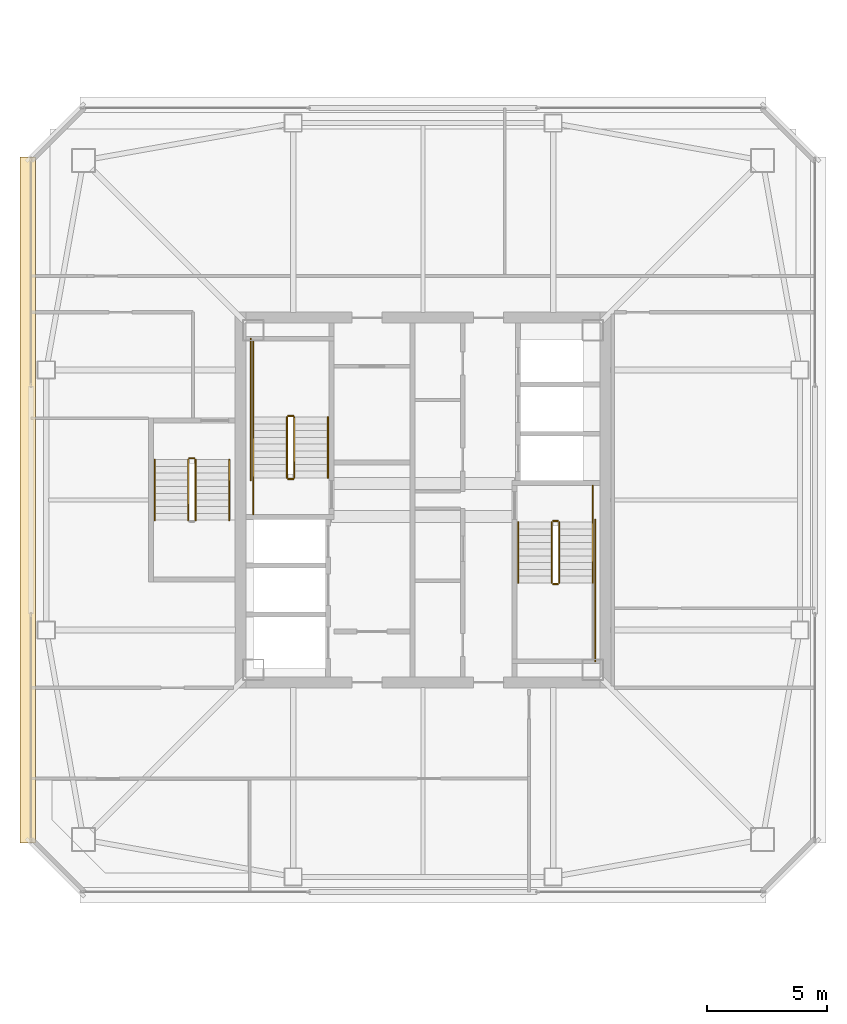
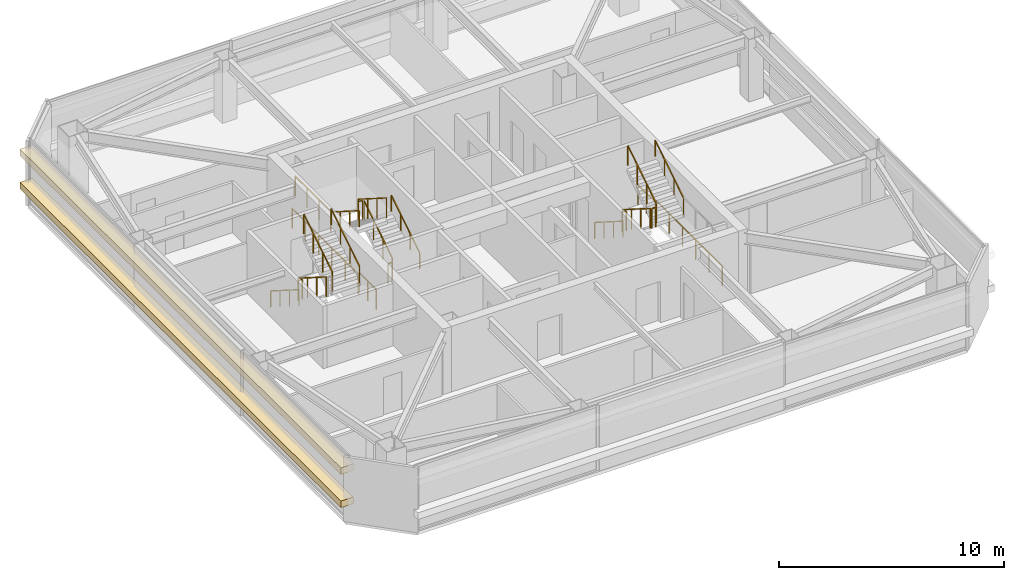
# One storey, part 35 of 39: 22 railings, 2 coverings.
"""IFC4 building model written with IfcOpenShell, lengths in metres."""

from ifc_helpers import new_model, si_unit, direction, frame, origin, origin_2d, place, context, subcontext, project, spatial, rectangle, extrude, material, layer, layer_set, type_object, element, save


model = new_model("IFC4")

# Units and contexts
model_context = context("Model", 3, precision=1e-05, world=origin(), true_north=direction((0.0, 1.0)))
body_context = subcontext(model_context, "Body", "Model", "MODEL_VIEW")
ifc_project = project(units=[si_unit("LENGTHUNIT", "METRE"), si_unit("AREAUNIT", "SQUARE_METRE"), si_unit("VOLUMEUNIT", "CUBIC_METRE"), si_unit("PLANEANGLEUNIT", "RADIAN"), si_unit("MASSUNIT", "GRAM", prefix="KILO")], contexts=[model_context])

# Site, building, storey
site_placement = place(None, origin())
site = spatial("IfcSite", under=ifc_project, at=site_placement, CompositionType="ELEMENT")
building_placement = place(site_placement, origin())
building = spatial("IfcBuilding", under=site, at=building_placement, Name="Tashvorn Skyway Center", CompositionType="ELEMENT")
storey_placement = place(building_placement, frame((0.0, 0.0, 207.75)))
storey = spatial("IfcBuildingStorey", under=building, at=storey_placement, Name="L56", CompositionType="ELEMENT", Elevation=207.75)

# Coverings
ifc_material_1 = material(Name="Perforated ceramic-coated bronze aluminium solar screen", Category="aluminium")
ifc_layer = layer(ifc_material_1, 0.85009765625)
ifc_layer_set = layer_set([ifc_layer], Name="Perforated ceramic-coated bronze aluminium solar screen")
covering_type = type_object("IfcCoveringType", Name="COV-SOLAR-BAND", PredefinedType="CLADDING", material=ifc_layer_set)
for number, where, z_axis, x_axis, name in (
    (1, (25.580078125, 32.0, 0.919921875), (0.0, 0.0, 1.0), (0.0, 1.0, 0.0), "L56 Perforated Ceramic-Metal Solar Screen Louvre Band West 1"),
    (2, (25.580078125, 32.0, 2.7197265625), (0.0, 0.0, 1.0), (0.0, 1.0, 0.0), "L56 Perforated Ceramic-Metal Solar Screen Louvre Band West 2"),
):
    element("IfcCovering", number, at=place(storey_placement, frame(where, z_axis=z_axis, x_axis=x_axis)), inside=storey, type_object=covering_type, Name=name, PredefinedType="CLADDING", context=body_context, shape_type="SweptSolid", body=[
        extrude(rectangle(XDim=28.47998046875, YDim=0.639892578125, at=origin_2d()), origin(), (0.0, 0.0, 1.0), 0.360107421875),
    ])

# Railings
ifc_material_2 = material(Name="Brushed stainless steel 316", Category="steel")
railing_type_1 = type_object("IfcRailingType", Name="RAIL-HAND-920", PredefinedType="HANDRAIL", material=ifc_material_2)
railing_1_placement = place(storey_placement, frame((38.050048828125, 32.919921875, 0.177490234375)))
element("IfcRailing", 3, at=railing_1_placement, inside=storey, type_object=railing_type_1, Name="L56 ST-T1-1 stair handrail 1", PredefinedType="HANDRAIL", context=body_context, shape_type="SweptSolid", body=[
    extrude(rectangle(XDim=0.048095703125, YDim=0.048095703125, at=origin_2d()), frame((0.0, 0.0, 0.8759765625), z_axis=(0.0, 0.84460694969, 0.535386869969), x_axis=(-1.0, 0.0, 0.0)), (0.0, 0.0, 1.0), 2.983642578125),
    extrude(rectangle(XDim=0.0419921875, YDim=0.0419921875, at=origin_2d()), origin(), (0.0, 0.0, 1.0), 0.851806640625),
    extrude(rectangle(XDim=0.0419921875, YDim=0.0419921875, at=origin_2d()), frame((0.0, 0.840087890625, 0.532470703125)), (0.0, 0.0, 1.0), 0.851806640625),
    extrude(rectangle(XDim=0.0419921875, YDim=0.0419921875, at=origin_2d()), frame((0.0, 1.679931640625, 1.06494140625)), (0.0, 0.0, 1.0), 0.851806640625),
    extrude(rectangle(XDim=0.0419921875, YDim=0.0419921875, at=origin_2d()), frame((0.0, 2.52001953125, 1.597412109375)), (0.0, 0.0, 1.0), 0.851806640625),
])
railing_2_placement = place(storey_placement, frame((34.949951171875, 35.43994140625, 1.952392578125)))
element("IfcRailing", 4, at=railing_2_placement, inside=storey, type_object=railing_type_1, Name="L56 ST-T1-1 stair handrail 2", PredefinedType="HANDRAIL", context=body_context, shape_type="SweptSolid", body=[
    extrude(rectangle(XDim=0.048095703125, YDim=0.048095703125, at=origin_2d()), frame((0.0, 0.0, 0.8759765625), z_axis=(0.0, -0.84456994832, 0.535445237532), x_axis=(1.0, 0.0, 0.0)), (0.0, 0.0, 1.0), 2.98388671875),
    extrude(rectangle(XDim=0.0419921875, YDim=0.0419921875, at=origin_2d()), origin(), (0.0, 0.0, 1.0), 0.851806640625),
    extrude(rectangle(XDim=0.0419921875, YDim=0.0419921875, at=origin_2d()), frame((0.0, -0.840087890625, 0.532470703125)), (0.0, 0.0, 1.0), 0.851806640625),
    extrude(rectangle(XDim=0.0419921875, YDim=0.0419921875, at=origin_2d()), frame((0.0, -1.679931640625, 1.065185546875)), (0.0, 0.0, 1.0), 0.851806640625),
    extrude(rectangle(XDim=0.0419921875, YDim=0.0419921875, at=origin_2d()), frame((0.0, -2.52001953125, 1.59765625)), (0.0, 0.0, 1.0), 0.851806640625),
])
railing_3_placement = place(storey_placement, frame((45.949951171875, 31.080078125, 0.177490234375)))
element("IfcRailing", 5, at=railing_3_placement, inside=storey, type_object=railing_type_1, Name="L56 ST-T1-2 stair handrail 1", PredefinedType="HANDRAIL", context=body_context, shape_type="SweptSolid", body=[
    extrude(rectangle(XDim=0.048095703125, YDim=0.048095703125, at=origin_2d()), frame((0.0, 0.0, 0.8759765625), z_axis=(0.0, -0.84460694969, 0.535386869969), x_axis=(1.0, 0.0, 0.0)), (0.0, 0.0, 1.0), 2.983642578125),
    extrude(rectangle(XDim=0.0419921875, YDim=0.0419921875, at=origin_2d()), origin(), (0.0, 0.0, 1.0), 0.851806640625),
    extrude(rectangle(XDim=0.0419921875, YDim=0.0419921875, at=origin_2d()), frame((0.0, -0.840087890625, 0.532470703125)), (0.0, 0.0, 1.0), 0.851806640625),
    extrude(rectangle(XDim=0.0419921875, YDim=0.0419921875, at=origin_2d()), frame((0.0, -1.679931640625, 1.06494140625)), (0.0, 0.0, 1.0), 0.851806640625),
    extrude(rectangle(XDim=0.0419921875, YDim=0.0419921875, at=origin_2d()), frame((0.0, -2.52001953125, 1.597412109375)), (0.0, 0.0, 1.0), 0.851806640625),
])
railing_4_placement = place(storey_placement, frame((49.050048828125, 28.56005859375, 1.952392578125)))
element("IfcRailing", 6, at=railing_4_placement, inside=storey, type_object=railing_type_1, Name="L56 ST-T1-2 stair handrail 2", PredefinedType="HANDRAIL", context=body_context, shape_type="SweptSolid", body=[
    extrude(rectangle(XDim=0.048095703125, YDim=0.048095703125, at=origin_2d()), frame((0.0, 0.0, 0.8759765625), z_axis=(0.0, 0.84456994832, 0.535445237532), x_axis=(-1.0, 0.0, 0.0)), (0.0, 0.0, 1.0), 2.98388671875),
    extrude(rectangle(XDim=0.0419921875, YDim=0.0419921875, at=origin_2d()), origin(), (0.0, 0.0, 1.0), 0.851806640625),
    extrude(rectangle(XDim=0.0419921875, YDim=0.0419921875, at=origin_2d()), frame((0.0, 0.840087890625, 0.532470703125)), (0.0, 0.0, 1.0), 0.851806640625),
    extrude(rectangle(XDim=0.0419921875, YDim=0.0419921875, at=origin_2d()), frame((0.0, 1.679931640625, 1.065185546875)), (0.0, 0.0, 1.0), 0.851806640625),
    extrude(rectangle(XDim=0.0419921875, YDim=0.0419921875, at=origin_2d()), frame((0.0, 2.52001953125, 1.59765625)), (0.0, 0.0, 1.0), 0.851806640625),
])
railing_5_placement = place(storey_placement, frame((30.85009765625, 33.679931640625, 0.177490234375)))
element("IfcRailing", 7, at=railing_5_placement, inside=storey, type_object=railing_type_1, Name="L56 ST-T1-3 stair handrail 1", PredefinedType="HANDRAIL", context=body_context, shape_type="SweptSolid", body=[
    extrude(rectangle(XDim=0.048095703125, YDim=0.048095703125, at=origin_2d()), frame((0.0, 0.0, 0.8759765625), z_axis=(0.0, -0.84460694969, 0.535386869969), x_axis=(1.0, 0.0, 0.0)), (0.0, 0.0, 1.0), 2.983642578125),
    extrude(rectangle(XDim=0.0419921875, YDim=0.0419921875, at=origin_2d()), origin(), (0.0, 0.0, 1.0), 0.851806640625),
    extrude(rectangle(XDim=0.0419921875, YDim=0.0419921875, at=origin_2d()), frame((0.0, -0.840087890625, 0.532470703125)), (0.0, 0.0, 1.0), 0.851806640625),
    extrude(rectangle(XDim=0.0419921875, YDim=0.0419921875, at=origin_2d()), frame((0.0, -1.679931640625, 1.06494140625)), (0.0, 0.0, 1.0), 0.851806640625),
    extrude(rectangle(XDim=0.0419921875, YDim=0.0419921875, at=origin_2d()), frame((0.0, -2.52001953125, 1.597412109375)), (0.0, 0.0, 1.0), 0.851806640625),
])
railing_6_placement = place(storey_placement, frame((33.949951171875, 31.159912109375, 1.952392578125)))
element("IfcRailing", 8, at=railing_6_placement, inside=storey, type_object=railing_type_1, Name="L56 ST-T1-3 stair handrail 2", PredefinedType="HANDRAIL", context=body_context, shape_type="SweptSolid", body=[
    extrude(rectangle(XDim=0.048095703125, YDim=0.048095703125, at=origin_2d()), frame((0.0, 0.0, 0.8759765625), z_axis=(0.0, 0.84456994832, 0.535445237532), x_axis=(-1.0, 0.0, 0.0)), (0.0, 0.0, 1.0), 2.98388671875),
    extrude(rectangle(XDim=0.0419921875, YDim=0.0419921875, at=origin_2d()), origin(), (0.0, 0.0, 1.0), 0.851806640625),
    extrude(rectangle(XDim=0.0419921875, YDim=0.0419921875, at=origin_2d()), frame((0.0, 0.840087890625, 0.532470703125)), (0.0, 0.0, 1.0), 0.851806640625),
    extrude(rectangle(XDim=0.0419921875, YDim=0.0419921875, at=origin_2d()), frame((0.0, 1.679931640625, 1.065185546875)), (0.0, 0.0, 1.0), 0.851806640625),
    extrude(rectangle(XDim=0.0419921875, YDim=0.0419921875, at=origin_2d()), frame((0.0, 2.52001953125, 1.59765625)), (0.0, 0.0, 1.0), 0.851806640625),
])
ifc_material_3 = material(Name="Painted galvanized steel S355", Category="steel")
railing_type_2 = type_object("IfcRailingType", Name="RAIL-STGUARD-1100", PredefinedType="GUARDRAIL", material=ifc_material_3)
railing_7_placement = place(storey_placement, frame((36.64990234375, 32.919921875, 0.177490234375)))
element("IfcRailing", 9, at=railing_7_placement, inside=storey, type_object=railing_type_2, Name="L56 ST-T1-1 stair guard 1", PredefinedType="GUARDRAIL", context=body_context, shape_type="SweptSolid", body=[
    extrude(rectangle(XDim=0.048095703125, YDim=0.048095703125, at=origin_2d()), frame((0.0, 0.0, 1.076171875), z_axis=(0.0, 0.84460694969, 0.535386869969), x_axis=(-1.0, 0.0, 0.0)), (0.0, 0.0, 1.0), 2.983642578125),
    extrude(rectangle(XDim=0.0419921875, YDim=0.0419921875, at=origin_2d()), origin(), (0.0, 0.0, 1.0), 1.052001953125),
    extrude(rectangle(XDim=0.0419921875, YDim=0.0419921875, at=origin_2d()), frame((0.0, 0.840087890625, 0.532470703125)), (0.0, 0.0, 1.0), 1.052001953125),
    extrude(rectangle(XDim=0.0419921875, YDim=0.0419921875, at=origin_2d()), frame((0.0, 1.679931640625, 1.06494140625)), (0.0, 0.0, 1.0), 1.052001953125),
    extrude(rectangle(XDim=0.0419921875, YDim=0.0419921875, at=origin_2d()), frame((0.0, 2.52001953125, 1.597412109375)), (0.0, 0.0, 1.0), 1.052001953125),
])
railing_8_placement = place(storey_placement, frame((36.60009765625, 35.489990234375, 1.77490234375)))
element("IfcRailing", 10, at=railing_8_placement, inside=storey, type_object=railing_type_2, Name="L56 ST-T1-1 stair guard 2", PredefinedType="GUARDRAIL", context=body_context, shape_type="SweptSolid", body=[
    extrude(rectangle(XDim=0.048095703125, YDim=0.048095703125, at=origin_2d()), frame((0.0, 0.0, 1.076171875), z_axis=(-1.0, 0.0, 0.0), x_axis=(0.0, -1.0, 0.0)), (0.0, 0.0, 1.0), 0.2001953125),
    extrude(rectangle(XDim=0.0419921875, YDim=0.0419921875, at=origin_2d()), origin(), (0.0, 0.0, 1.0), 1.052001953125),
    extrude(rectangle(XDim=0.0419921875, YDim=0.0419921875, at=origin_2d()), frame((-0.2001953125, 0.0, 0.0)), (0.0, 0.0, 1.0), 1.052001953125),
])
railing_9_placement = place(storey_placement, frame((34.949951171875, 35.43994140625, 1.77490234375)))
element("IfcRailing", 11, at=railing_9_placement, inside=storey, type_object=railing_type_2, Name="L56 ST-T1-1 stair guard 3", PredefinedType="GUARDRAIL", context=body_context, shape_type="SweptSolid", body=[
    extrude(rectangle(XDim=0.048095703125, YDim=0.048095703125, at=origin_2d()), frame((0.0, 0.0, 1.076171875), z_axis=(0.0, 1.0, 0.0), x_axis=(-1.0, 0.0, 0.0)), (0.0, 0.0, 1.0), 3.16015625),
    extrude(rectangle(XDim=0.0419921875, YDim=0.0419921875, at=origin_2d()), origin(), (0.0, 0.0, 1.0), 1.052001953125),
    extrude(rectangle(XDim=0.0419921875, YDim=0.0419921875, at=origin_2d()), frame((0.0, 1.053466796875, 0.0)), (0.0, 0.0, 1.0), 1.052001953125),
    extrude(rectangle(XDim=0.0419921875, YDim=0.0419921875, at=origin_2d()), frame((0.0, 2.106689453125, 0.0)), (0.0, 0.0, 1.0), 1.052001953125),
    extrude(rectangle(XDim=0.0419921875, YDim=0.0419921875, at=origin_2d()), frame((0.0, 3.16015625, 0.0)), (0.0, 0.0, 1.0), 1.052001953125),
])
railing_10_placement = place(storey_placement, frame((36.35009765625, 35.43994140625, 1.952392578125)))
element("IfcRailing", 12, at=railing_10_placement, inside=storey, type_object=railing_type_2, Name="L56 ST-T1-1 stair guard 4", PredefinedType="GUARDRAIL", context=body_context, shape_type="SweptSolid", body=[
    extrude(rectangle(XDim=0.048095703125, YDim=0.048095703125, at=origin_2d()), frame((0.0, 0.0, 1.076171875), z_axis=(0.0, -0.84456994832, 0.535445237532), x_axis=(1.0, 0.0, 0.0)), (0.0, 0.0, 1.0), 2.98388671875),
    extrude(rectangle(XDim=0.0419921875, YDim=0.0419921875, at=origin_2d()), origin(), (0.0, 0.0, 1.0), 1.052001953125),
    extrude(rectangle(XDim=0.0419921875, YDim=0.0419921875, at=origin_2d()), frame((0.0, -0.840087890625, 0.532470703125)), (0.0, 0.0, 1.0), 1.052001953125),
    extrude(rectangle(XDim=0.0419921875, YDim=0.0419921875, at=origin_2d()), frame((0.0, -1.679931640625, 1.065185546875)), (0.0, 0.0, 1.0), 1.052001953125),
    extrude(rectangle(XDim=0.0419921875, YDim=0.0419921875, at=origin_2d()), frame((0.0, -2.52001953125, 1.59765625)), (0.0, 0.0, 1.0), 1.052001953125),
])
railing_11_placement = place(storey_placement, frame((36.60009765625, 32.8701171875, 0.0)))
element("IfcRailing", 13, at=railing_11_placement, inside=storey, type_object=railing_type_2, Name="L56 ST-T1-1 stair guard 5", PredefinedType="GUARDRAIL", context=body_context, shape_type="SweptSolid", body=[
    extrude(rectangle(XDim=0.048095703125, YDim=0.048095703125, at=origin_2d()), frame((0.0, 0.0, 1.076171875), z_axis=(-1.0, 0.0, 0.0), x_axis=(0.0, -1.0, 0.0)), (0.0, 0.0, 1.0), 0.2001953125),
    extrude(rectangle(XDim=0.0419921875, YDim=0.0419921875, at=origin_2d()), origin(), (0.0, 0.0, 1.0), 1.052001953125),
    extrude(rectangle(XDim=0.0419921875, YDim=0.0419921875, at=origin_2d()), frame((-0.2001953125, 0.0, 0.0)), (0.0, 0.0, 1.0), 1.052001953125),
])
railing_12_placement = place(storey_placement, frame((34.949951171875, 31.39990234375, 0.0)))
element("IfcRailing", 14, at=railing_12_placement, inside=storey, type_object=railing_type_2, Name="L56 ST-T1-1 stair guard 6", PredefinedType="GUARDRAIL", context=body_context, shape_type="SweptSolid", body=[
    extrude(rectangle(XDim=0.048095703125, YDim=0.048095703125, at=origin_2d()), frame((0.0, 0.0, 1.076171875), z_axis=(0.0, 1.0, 0.0), x_axis=(-1.0, 0.0, 0.0)), (0.0, 0.0, 1.0), 1.52001953125),
    extrude(rectangle(XDim=0.0419921875, YDim=0.0419921875, at=origin_2d()), origin(), (0.0, 0.0, 1.0), 1.052001953125),
    extrude(rectangle(XDim=0.0419921875, YDim=0.0419921875, at=origin_2d()), frame((0.0, 0.760009765625, 0.0)), (0.0, 0.0, 1.0), 1.052001953125),
    extrude(rectangle(XDim=0.0419921875, YDim=0.0419921875, at=origin_2d()), frame((0.0, 1.52001953125, 0.0)), (0.0, 0.0, 1.0), 1.052001953125),
])
railing_13_placement = place(storey_placement, frame((34.85009765625, 32.820068359375, 0.0)))
element("IfcRailing", 15, at=railing_13_placement, inside=storey, type_object=railing_type_2, Name="L56 ST-T1-1 stair guard 7", PredefinedType="GUARDRAIL", context=body_context, shape_type="SweptSolid", body=[
    extrude(rectangle(XDim=0.048095703125, YDim=0.048095703125, at=origin_2d()), frame((0.0, 0.0, 1.076171875), z_axis=(0.0, 1.0, 0.0), x_axis=(-1.0, 0.0, 0.0)), (0.0, 0.0, 1.0), 5.8798828125),
    extrude(rectangle(XDim=0.0419921875, YDim=0.0419921875, at=origin_2d()), origin(), (0.0, 0.0, 1.0), 1.052001953125),
    extrude(rectangle(XDim=0.0419921875, YDim=0.0419921875, at=origin_2d()), frame((0.0, 1.176025390625, 0.0)), (0.0, 0.0, 1.0), 1.052001953125),
    extrude(rectangle(XDim=0.0419921875, YDim=0.0419921875, at=origin_2d()), frame((0.0, 2.35205078125, 0.0)), (0.0, 0.0, 1.0), 1.052001953125),
    extrude(rectangle(XDim=0.0419921875, YDim=0.0419921875, at=origin_2d()), frame((0.0, 3.52783203125, 0.0)), (0.0, 0.0, 1.0), 1.052001953125),
    extrude(rectangle(XDim=0.0419921875, YDim=0.0419921875, at=origin_2d()), frame((0.0, 4.703857421875, 0.0)), (0.0, 0.0, 1.0), 1.052001953125),
    extrude(rectangle(XDim=0.0419921875, YDim=0.0419921875, at=origin_2d()), frame((0.0, 5.8798828125, 0.0)), (0.0, 0.0, 1.0), 1.052001953125),
])
railing_14_placement = place(storey_placement, frame((47.35009765625, 31.080078125, 0.177490234375)))
element("IfcRailing", 16, at=railing_14_placement, inside=storey, type_object=railing_type_2, Name="L56 ST-T1-2 stair guard 1", PredefinedType="GUARDRAIL", context=body_context, shape_type="SweptSolid", body=[
    extrude(rectangle(XDim=0.048095703125, YDim=0.048095703125, at=origin_2d()), frame((0.0, 0.0, 1.076171875), z_axis=(0.0, -0.84460694969, 0.535386869969), x_axis=(1.0, 0.0, 0.0)), (0.0, 0.0, 1.0), 2.983642578125),
    extrude(rectangle(XDim=0.0419921875, YDim=0.0419921875, at=origin_2d()), origin(), (0.0, 0.0, 1.0), 1.052001953125),
    extrude(rectangle(XDim=0.0419921875, YDim=0.0419921875, at=origin_2d()), frame((0.0, -0.840087890625, 0.532470703125)), (0.0, 0.0, 1.0), 1.052001953125),
    extrude(rectangle(XDim=0.0419921875, YDim=0.0419921875, at=origin_2d()), frame((0.0, -1.679931640625, 1.06494140625)), (0.0, 0.0, 1.0), 1.052001953125),
    extrude(rectangle(XDim=0.0419921875, YDim=0.0419921875, at=origin_2d()), frame((0.0, -2.52001953125, 1.597412109375)), (0.0, 0.0, 1.0), 1.052001953125),
])
railing_15_placement = place(storey_placement, frame((47.39990234375, 28.510009765625, 1.77490234375)))
element("IfcRailing", 17, at=railing_15_placement, inside=storey, type_object=railing_type_2, Name="L56 ST-T1-2 stair guard 2", PredefinedType="GUARDRAIL", context=body_context, shape_type="SweptSolid", body=[
    extrude(rectangle(XDim=0.048095703125, YDim=0.048095703125, at=origin_2d()), frame((0.0, 0.0, 1.076171875), z_axis=(1.0, 0.0, 0.0), x_axis=(0.0, 1.0, 0.0)), (0.0, 0.0, 1.0), 0.2001953125),
    extrude(rectangle(XDim=0.0419921875, YDim=0.0419921875, at=origin_2d()), origin(), (0.0, 0.0, 1.0), 1.052001953125),
    extrude(rectangle(XDim=0.0419921875, YDim=0.0419921875, at=origin_2d()), frame((0.2001953125, 0.0, 0.0)), (0.0, 0.0, 1.0), 1.052001953125),
])
railing_16_placement = place(storey_placement, frame((47.64990234375, 28.56005859375, 1.952392578125)))
element("IfcRailing", 18, at=railing_16_placement, inside=storey, type_object=railing_type_2, Name="L56 ST-T1-2 stair guard 4", PredefinedType="GUARDRAIL", context=body_context, shape_type="SweptSolid", body=[
    extrude(rectangle(XDim=0.048095703125, YDim=0.048095703125, at=origin_2d()), frame((0.0, 0.0, 1.076171875), z_axis=(0.0, 0.84456994832, 0.535445237532), x_axis=(-1.0, 0.0, 0.0)), (0.0, 0.0, 1.0), 2.98388671875),
    extrude(rectangle(XDim=0.0419921875, YDim=0.0419921875, at=origin_2d()), origin(), (0.0, 0.0, 1.0), 1.052001953125),
    extrude(rectangle(XDim=0.0419921875, YDim=0.0419921875, at=origin_2d()), frame((0.0, 0.840087890625, 0.532470703125)), (0.0, 0.0, 1.0), 1.052001953125),
    extrude(rectangle(XDim=0.0419921875, YDim=0.0419921875, at=origin_2d()), frame((0.0, 1.679931640625, 1.065185546875)), (0.0, 0.0, 1.0), 1.052001953125),
    extrude(rectangle(XDim=0.0419921875, YDim=0.0419921875, at=origin_2d()), frame((0.0, 2.52001953125, 1.59765625)), (0.0, 0.0, 1.0), 1.052001953125),
])
railing_17_placement = place(storey_placement, frame((47.39990234375, 31.1298828125, 0.0)))
element("IfcRailing", 19, at=railing_17_placement, inside=storey, type_object=railing_type_2, Name="L56 ST-T1-2 stair guard 5", PredefinedType="GUARDRAIL", context=body_context, shape_type="SweptSolid", body=[
    extrude(rectangle(XDim=0.048095703125, YDim=0.048095703125, at=origin_2d()), frame((0.0, 0.0, 1.076171875), z_axis=(1.0, 0.0, 0.0), x_axis=(0.0, 1.0, 0.0)), (0.0, 0.0, 1.0), 0.2001953125),
    extrude(rectangle(XDim=0.0419921875, YDim=0.0419921875, at=origin_2d()), origin(), (0.0, 0.0, 1.0), 1.052001953125),
    extrude(rectangle(XDim=0.0419921875, YDim=0.0419921875, at=origin_2d()), frame((0.2001953125, 0.0, 0.0)), (0.0, 0.0, 1.0), 1.052001953125),
])
railing_18_placement = place(storey_placement, frame((49.050048828125, 32.60009765625, 0.0)))
element("IfcRailing", 20, at=railing_18_placement, inside=storey, type_object=railing_type_2, Name="L56 ST-T1-2 stair guard 6", PredefinedType="GUARDRAIL", context=body_context, shape_type="SweptSolid", body=[
    extrude(rectangle(XDim=0.048095703125, YDim=0.048095703125, at=origin_2d()), frame((0.0, 0.0, 1.076171875), z_axis=(0.0, -1.0, 0.0), x_axis=(1.0, 0.0, 0.0)), (0.0, 0.0, 1.0), 1.52001953125),
    extrude(rectangle(XDim=0.0419921875, YDim=0.0419921875, at=origin_2d()), origin(), (0.0, 0.0, 1.0), 1.052001953125),
    extrude(rectangle(XDim=0.0419921875, YDim=0.0419921875, at=origin_2d()), frame((0.0, -0.760009765625, 0.0)), (0.0, 0.0, 1.0), 1.052001953125),
    extrude(rectangle(XDim=0.0419921875, YDim=0.0419921875, at=origin_2d()), frame((0.0, -1.52001953125, 0.0)), (0.0, 0.0, 1.0), 1.052001953125),
])
railing_19_placement = place(storey_placement, frame((49.14990234375, 31.179931640625, 0.0)))
element("IfcRailing", 21, at=railing_19_placement, inside=storey, type_object=railing_type_2, Name="L56 ST-T1-2 stair guard 7", PredefinedType="GUARDRAIL", context=body_context, shape_type="SweptSolid", body=[
    extrude(rectangle(XDim=0.048095703125, YDim=0.048095703125, at=origin_2d()), frame((0.0, 0.0, 1.076171875), z_axis=(0.0, -1.0, 0.0), x_axis=(1.0, 0.0, 0.0)), (0.0, 0.0, 1.0), 5.8798828125),
    extrude(rectangle(XDim=0.0419921875, YDim=0.0419921875, at=origin_2d()), origin(), (0.0, 0.0, 1.0), 1.052001953125),
    extrude(rectangle(XDim=0.0419921875, YDim=0.0419921875, at=origin_2d()), frame((0.0, -1.176025390625, 0.0)), (0.0, 0.0, 1.0), 1.052001953125),
    extrude(rectangle(XDim=0.0419921875, YDim=0.0419921875, at=origin_2d()), frame((0.0, -2.35205078125, 0.0)), (0.0, 0.0, 1.0), 1.052001953125),
    extrude(rectangle(XDim=0.0419921875, YDim=0.0419921875, at=origin_2d()), frame((0.0, -3.52783203125, 0.0)), (0.0, 0.0, 1.0), 1.052001953125),
    extrude(rectangle(XDim=0.0419921875, YDim=0.0419921875, at=origin_2d()), frame((0.0, -4.703857421875, 0.0)), (0.0, 0.0, 1.0), 1.052001953125),
    extrude(rectangle(XDim=0.0419921875, YDim=0.0419921875, at=origin_2d()), frame((0.0, -5.8798828125, 0.0)), (0.0, 0.0, 1.0), 1.052001953125),
])
railing_20_placement = place(storey_placement, frame((32.25, 33.679931640625, 0.177490234375)))
element("IfcRailing", 22, at=railing_20_placement, inside=storey, type_object=railing_type_2, Name="L56 ST-T1-3 stair guard 1", PredefinedType="GUARDRAIL", context=body_context, shape_type="SweptSolid", body=[
    extrude(rectangle(XDim=0.048095703125, YDim=0.048095703125, at=origin_2d()), frame((0.0, 0.0, 1.076171875), z_axis=(0.0, -0.84460694969, 0.535386869969), x_axis=(1.0, 0.0, 0.0)), (0.0, 0.0, 1.0), 2.983642578125),
    extrude(rectangle(XDim=0.0419921875, YDim=0.0419921875, at=origin_2d()), origin(), (0.0, 0.0, 1.0), 1.052001953125),
    extrude(rectangle(XDim=0.0419921875, YDim=0.0419921875, at=origin_2d()), frame((0.0, -0.840087890625, 0.532470703125)), (0.0, 0.0, 1.0), 1.052001953125),
    extrude(rectangle(XDim=0.0419921875, YDim=0.0419921875, at=origin_2d()), frame((0.0, -1.679931640625, 1.06494140625)), (0.0, 0.0, 1.0), 1.052001953125),
    extrude(rectangle(XDim=0.0419921875, YDim=0.0419921875, at=origin_2d()), frame((0.0, -2.52001953125, 1.597412109375)), (0.0, 0.0, 1.0), 1.052001953125),
])
railing_21_placement = place(storey_placement, frame((32.550048828125, 31.159912109375, 1.952392578125)))
element("IfcRailing", 23, at=railing_21_placement, inside=storey, type_object=railing_type_2, Name="L56 ST-T1-3 stair guard 3", PredefinedType="GUARDRAIL", context=body_context, shape_type="SweptSolid", body=[
    extrude(rectangle(XDim=0.048095703125, YDim=0.048095703125, at=origin_2d()), frame((0.0, 0.0, 1.076171875), z_axis=(0.0, 0.84456994832, 0.535445237532), x_axis=(-1.0, 0.0, 0.0)), (0.0, 0.0, 1.0), 2.98388671875),
    extrude(rectangle(XDim=0.0419921875, YDim=0.0419921875, at=origin_2d()), origin(), (0.0, 0.0, 1.0), 1.052001953125),
    extrude(rectangle(XDim=0.0419921875, YDim=0.0419921875, at=origin_2d()), frame((0.0, 0.840087890625, 0.532470703125)), (0.0, 0.0, 1.0), 1.052001953125),
    extrude(rectangle(XDim=0.0419921875, YDim=0.0419921875, at=origin_2d()), frame((0.0, 1.679931640625, 1.065185546875)), (0.0, 0.0, 1.0), 1.052001953125),
    extrude(rectangle(XDim=0.0419921875, YDim=0.0419921875, at=origin_2d()), frame((0.0, 2.52001953125, 1.59765625)), (0.0, 0.0, 1.0), 1.052001953125),
])
railing_22_placement = place(storey_placement, frame((32.300048828125, 33.72998046875, 0.0)))
element("IfcRailing", 24, at=railing_22_placement, inside=storey, type_object=railing_type_2, Name="L56 ST-T1-3 stair guard 4", PredefinedType="GUARDRAIL", context=body_context, shape_type="SweptSolid", body=[
    extrude(rectangle(XDim=0.048095703125, YDim=0.048095703125, at=origin_2d()), frame((0.0, 0.0, 1.076171875), z_axis=(1.0, 0.0, 0.0), x_axis=(0.0, 1.0, 0.0)), (0.0, 0.0, 1.0), 0.199951171875),
    extrude(rectangle(XDim=0.0419921875, YDim=0.0419921875, at=origin_2d()), origin(), (0.0, 0.0, 1.0), 1.052001953125),
    extrude(rectangle(XDim=0.0419921875, YDim=0.0419921875, at=origin_2d()), frame((0.199951171875, 0.0, 0.0)), (0.0, 0.0, 1.0), 1.052001953125),
])

save(model, "model.ifc")
